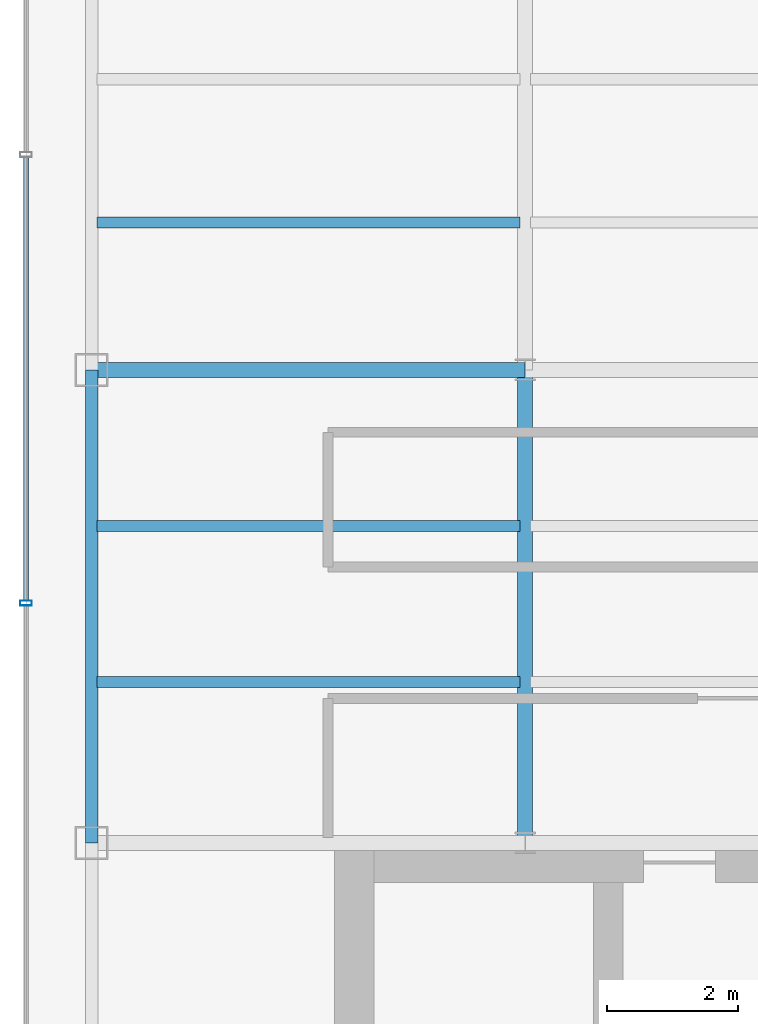
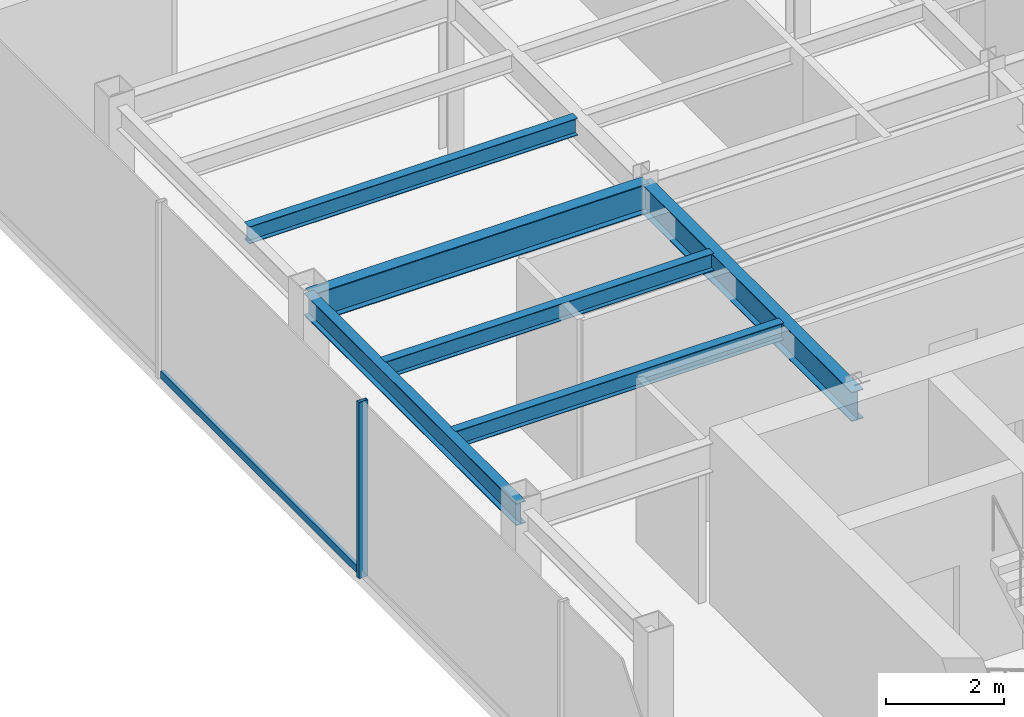
# One storey, part 5 of 22: 6 beams, 2 members, 1 element without a shape of its own.
"""IFC4 building model written with IfcOpenShell, lengths in metres."""

from ifc_helpers import new_model, si_unit, derived_unit, direction, frame, origin, origin_2d, place, context, subcontext, project, spatial, hollow_rectangle, i_section, extrude, source, transform, mapped, material, material_profile, profile_set, type_object, element, aggregate, save


model = new_model("IFC4")

# Units and contexts
model_context = context("Model", 3, precision=1e-05, world=origin(), true_north=direction((0.0, 1.0)))
body_context = subcontext(model_context, "Body", "Model", "MODEL_VIEW")
ifc_project = project(units=[si_unit("LENGTHUNIT", "METRE"), si_unit("AREAUNIT", "SQUARE_METRE"), si_unit("VOLUMEUNIT", "CUBIC_METRE"), si_unit("PLANEANGLEUNIT", "RADIAN"), si_unit("MASSUNIT", "GRAM", prefix="KILO"), derived_unit("THERMALTRANSMITTANCEUNIT", [(si_unit("POWERUNIT", "WATT"), 1), (si_unit("LENGTHUNIT", "METRE"), -2), (si_unit("THERMODYNAMICTEMPERATUREUNIT", "KELVIN"), -1)])], contexts=[model_context])

# Site, building, storey
site_placement = place(None, origin())
site = spatial("IfcSite", under=ifc_project, at=site_placement, CompositionType="ELEMENT")
building_placement = place(site_placement, origin())
building = spatial("IfcBuilding", under=site, at=building_placement, Name="Skarnbrae Concourse Arena and Tower", CompositionType="ELEMENT")
storey_placement = place(building_placement, frame((0.0, 0.0, 206.85009765625)))
storey = spatial("IfcBuildingStorey", under=building, at=storey_placement, Name="L53", CompositionType="ELEMENT", Elevation=206.85009765625)

# Beams
ifc_material_1 = material(Name="Steel CSA G40.21 350W", Category="steel")
ifc_material_profile_1 = material_profile(ifc_material_1, i_section(OverallWidth=0.22802734375, OverallDepth=0.60791015625, WebThickness=0.01123046875, FlangeThickness=0.017333984375, at=origin_2d()), Name="W610X113")
ifc_profile_set_1 = profile_set([ifc_material_profile_1], Name="Steel CSA G40.21 350W")
beam_type_1 = type_object("IfcBeamType", Name="BM-GIRD-W610X113", PredefinedType="BEAM", material=ifc_profile_set_1)
shared_shape_1 = source(origin(), body_context, "Body", "SweptSolid", [
    extrude(i_section(OverallWidth=0.22802734375, OverallDepth=0.60791015625, WebThickness=0.01123046875, FlangeThickness=0.017333984375, at=origin_2d()), origin(), (0.0, 0.0, 1.0), 6.60009765625),
])
beam_1_placement = place(storey_placement, frame((1.0, 21.199951171875, 3.095947265625), z_axis=(1.0, 0.0, 0.0), x_axis=(0.0, 1.0, 0.0)))
element("IfcBeam", 1, at=beam_1_placement, inside=storey, type_object=beam_type_1, Name="L53 Primary E-W girder Y21.2-1", PredefinedType="BEAM", context=body_context, shape_type="MappedRepresentation", body=[
    mapped(shared_shape_1, transform((0.0, 0.0, 0.0))),
])
ifc_material_profile_2 = material_profile(ifc_material_1, i_section(OverallWidth=0.19091796875, OverallDepth=0.4599609375, WebThickness=0.010009765625, FlangeThickness=0.01611328125, at=origin_2d()), Name="W460X82")
ifc_profile_set_2 = profile_set([ifc_material_profile_2], Name="Steel CSA G40.21 350W")
beam_type_2 = type_object("IfcBeamType", Name="BM-SPAN-W460X82", PredefinedType="SPANDREL", material=ifc_profile_set_2)
shared_shape_2 = source(origin(), body_context, "Body", "SweptSolid", [
    extrude(i_section(OverallWidth=0.19091796875, OverallDepth=0.4599609375, WebThickness=0.010009765625, FlangeThickness=0.01611328125, at=origin_2d()), origin(), (0.0, 0.0, 1.0), 7.199951171875),
])
beam_2_placement = place(storey_placement, frame((1.0, 14.0, 3.169921875), z_axis=(0.0, 1.0, 0.0), x_axis=(-1.0, 0.0, 0.0)))
element("IfcBeam", 2, at=beam_2_placement, inside=storey, type_object=beam_type_2, Name="L53 Perimeter spandrel X1.0-2", PredefinedType="SPANDREL", context=body_context, shape_type="MappedRepresentation", body=[
    mapped(shared_shape_2, transform((0.0, 0.0, 0.0))),
])
shared_shape_3 = source(origin(), body_context, "Body", "SweptSolid", [
    extrude(i_section(OverallWidth=0.22802734375, OverallDepth=0.60791015625, WebThickness=0.01123046875, FlangeThickness=0.017333984375, at=origin_2d()), origin(), (0.0, 0.0, 1.0), 7.199951171875),
])
beam_3_placement = place(storey_placement, frame((7.60009765625, 14.0, 3.095947265625), z_axis=(0.0, 1.0, 0.0), x_axis=(-1.0, 0.0, 0.0)))
element("IfcBeam", 3, at=beam_3_placement, inside=storey, type_object=beam_type_1, Name="L53 Primary N-S girder X7.6-1", PredefinedType="BEAM", context=body_context, shape_type="MappedRepresentation", body=[
    mapped(shared_shape_3, transform((0.0, 0.0, 0.0))),
])
ifc_material_profile_3 = material_profile(ifc_material_1, i_section(OverallWidth=0.1708984375, OverallDepth=0.35498046875, WebThickness=0.007080078125, FlangeThickness=0.01171875, at=origin_2d()), Name="W360X51")
ifc_profile_set_3 = profile_set([ifc_material_profile_3], Name="Steel CSA G40.21 350W")
beam_type_3 = type_object("IfcBeamType", Name="BM-JOIST-W360X51", PredefinedType="JOIST", material=ifc_profile_set_3)
shared_shape_4 = source(origin(), body_context, "Body", "SweptSolid", [
    extrude(i_section(OverallWidth=0.1708984375, OverallDepth=0.35498046875, WebThickness=0.007080078125, FlangeThickness=0.01171875, at=origin_2d()), origin(), (0.0, 0.0, 1.0), 6.43994140625),
])
for number, where, z_axis, x_axis, name in (
    (4, (1.080078125, 16.447998046875, 3.222412109375), (1.0, 0.0, 0.0), (0.0, 1.0, 0.0), "L53 Secondary floor joist 1.1.1"),
    (5, (1.080078125, 18.823974609375, 3.222412109375), (1.0, 0.0, 0.0), (0.0, 1.0, 0.0), "L53 Secondary floor joist 1.2.1"),
    (6, (1.080078125, 23.444091796875, 3.222412109375), (1.0, 0.0, 0.0), (0.0, 1.0, 0.0), "L53 Secondary floor joist 2.1.1"),
):
    element("IfcBeam", number, at=place(storey_placement, frame(where, z_axis=z_axis, x_axis=x_axis)), inside=storey, type_object=beam_type_3, Name=name, PredefinedType="JOIST", context=body_context, shape_type="MappedRepresentation", body=[
        mapped(shared_shape_4, transform((0.0, 0.0, 0.0))),
    ])

# Curtain wall, members
ifc_material_2 = material(Name="Bronze anodised aluminium 6063-T6", Category="aluminium")
curtain_wall_type = type_object("IfcCurtainWallType", Name="CW-SYS-05-HIGHZONE", PredefinedType="USERDEFINED", material=ifc_material_2)
curtain_wall_placement = place(storey_placement, origin())
curtain_wall = element("IfcCurtainWall", 7, at=curtain_wall_placement, inside=storey, type_object=curtain_wall_type, Name="L53 Unitised curtain wall CW-L53-E18", ObjectType="UNITISED CURTAIN WALL", PredefinedType="USERDEFINED")
ifc_material_profile_4 = material_profile(ifc_material_2, hollow_rectangle(XDim=0.074951171875, YDim=0.179931640625, WallThickness=0.00390625, at=origin_2d()), Name="ALU-MULL-75X180")
ifc_profile_set_4 = profile_set([ifc_material_profile_4], Name="Bronze anodised aluminium 6063-T6")
member_type_1 = type_object("IfcMemberType", Name="CWM-CW-05", PredefinedType="MULLION", material=ifc_profile_set_4)
shared_shape_5 = source(origin(), body_context, "Body", "SweptSolid", [
    extrude(hollow_rectangle(XDim=0.074951171875, YDim=0.179931640625, WallThickness=0.00390625, at=origin_2d()), origin(), (0.0, 0.0, 1.0), 3.64990234375),
])
member_1_placement = place(storey_placement, frame((0.0, 17.64990234375, 0.0), z_axis=(0.0, 0.0, 1.0), x_axis=(0.0, -1.0, 0.0)))
member_1 = element("IfcMember", 8, at=member_1_placement, type_object=member_type_1, Name="CW-L53-E18 Mullion 3", PredefinedType="MULLION", context=body_context, shape_type="MappedRepresentation", body=[
    mapped(shared_shape_5, transform((0.0, 0.0, 0.0))),
])
ifc_material_profile_5 = material_profile(ifc_material_2, hollow_rectangle(XDim=0.074951171875, YDim=0.14990234375, WallThickness=0.00390625, at=origin_2d()), Name="ALU-TRAN-75X150")
ifc_profile_set_5 = profile_set([ifc_material_profile_5], Name="Bronze anodised aluminium 6063-T6")
member_type_2 = type_object("IfcMemberType", Name="CWT-CW-05", PredefinedType="USERDEFINED", material=ifc_profile_set_5)
shared_shape_6 = source(origin(), body_context, "Body", "SweptSolid", [
    extrude(hollow_rectangle(XDim=0.074951171875, YDim=0.14990234375, WallThickness=0.00390625, at=origin_2d()), origin(), (0.0, 0.0, 1.0), 6.75),
])
member_2_placement = place(storey_placement, frame((0.0, 24.4375, 0.074951171875), z_axis=(0.0, -1.0, 0.0), x_axis=(1.0, 0.0, 0.0)))
member_2 = element("IfcMember", 9, at=member_2_placement, type_object=member_type_2, Name="CW-L53-E18 Transom 2", ObjectType="TRANSOM", PredefinedType="USERDEFINED", context=body_context, shape_type="MappedRepresentation", body=[
    mapped(shared_shape_6, transform((0.0, 0.0, 0.0))),
])
aggregate(curtain_wall, [member_1, member_2])

save(model, "model.ifc")
